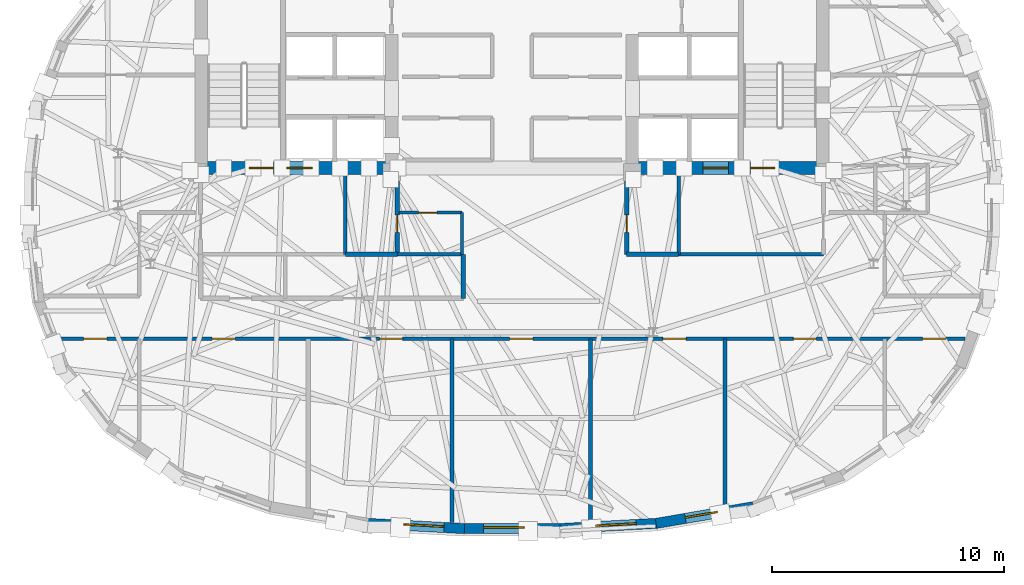
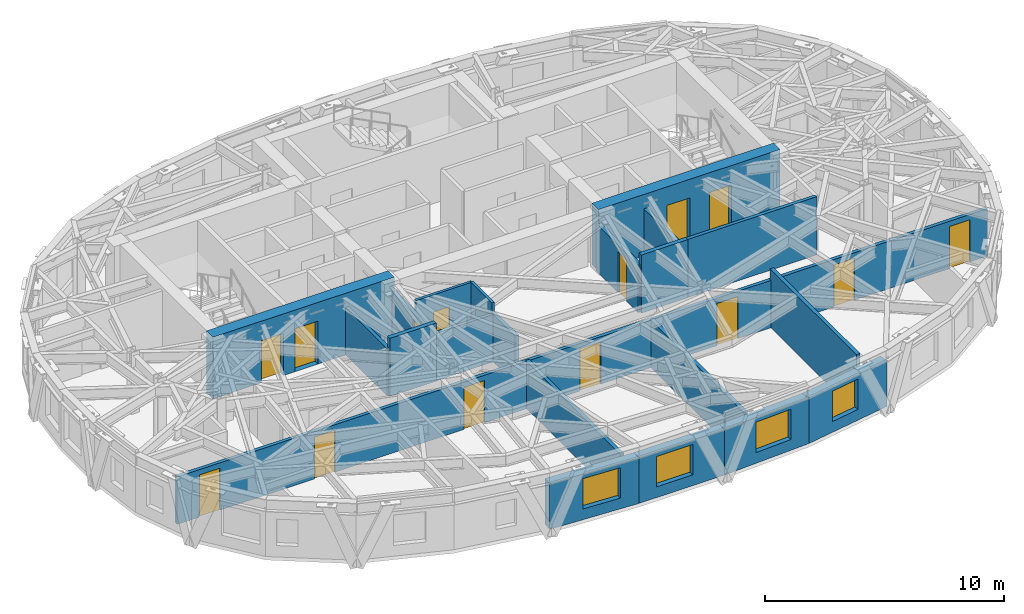
# One storey, part 6 of 12: 21 walls, 14 doors, 4 windows, 18 openings.
"""IFC4 building model written with IfcOpenShell, lengths in metres."""

from ifc_helpers import new_model, si_unit, direction, frame, frame_2d, origin, place, context, subcontext, project, spatial, rectangle, extrude, material, layer, layer_set, type_object, element, fill, save


model = new_model("IFC4")

# Units and contexts
model_context = context("Model", 3, precision=1e-05, world=origin(), true_north=direction((0.0, 1.0)))
body_context = subcontext(model_context, "Body", "Model", "MODEL_VIEW")
ifc_project = project(units=[si_unit("LENGTHUNIT", "METRE"), si_unit("AREAUNIT", "SQUARE_METRE"), si_unit("VOLUMEUNIT", "CUBIC_METRE"), si_unit("PLANEANGLEUNIT", "RADIAN"), si_unit("MASSUNIT", "GRAM", prefix="KILO")], contexts=[model_context])

# Site, building, storey
site_placement = place(None, origin())
site = spatial("IfcSite", under=ifc_project, at=site_placement, CompositionType="ELEMENT")
building_placement = place(site_placement, origin())
building = spatial("IfcBuilding", under=site, at=building_placement, Name="Keldmark Tower", CompositionType="ELEMENT")
storey_placement = place(building_placement, frame((0.0, 0.0, 254.10009765625)))
storey = spatial("IfcBuildingStorey", under=building, at=storey_placement, Name="L72", CompositionType="ELEMENT", Elevation=254.10009765625)

# Walls
ifc_material_1 = material(Name="STC-58 Insulated Tenant Demising Gypsum Partition", Category="gypsum")
ifc_layer_1 = layer(ifc_material_1, 0.175048828125)
ifc_layer_set_1 = layer_set([ifc_layer_1], Name="STC-58 Insulated Tenant Demising Gypsum Partition")
wall_type_1 = type_object("IfcWallType", Name="Demising Suite Partition 175 mm", PredefinedType="PARTITIONING", material=ifc_layer_set_1)
wall_1_placement = place(storey_placement, frame((-2.60009765625, -13.7412109375, 0.0), z_axis=(0.0, 0.0, 1.0), x_axis=(0.0, 1.0, 0.0)))
element("IfcWall", 1, at=wall_1_placement, inside=storey, type_object=wall_type_1, Name="L72 Demising Suite Partition 175 mm RS-T5-D2", PredefinedType="PARTITIONING", context=body_context, shape_type="SweptSolid", body=[
    extrude(rectangle(XDim=7.941162109375, YDim=0.175048828125, at=frame_2d((3.970703125, 0.0))), origin(), (0.0, 0.0, 1.0), 2.4228515625),
])
wall_2_placement = place(storey_placement, frame((3.39990234375, -13.697998046875, 0.0), z_axis=(0.0, 0.0, 1.0), x_axis=(0.0, 1.0, 0.0)))
element("IfcWall", 2, at=wall_2_placement, inside=storey, type_object=wall_type_1, Name="L72 Demising Suite Partition 175 mm RS-T5-D3", PredefinedType="PARTITIONING", context=body_context, shape_type="SweptSolid", body=[
    extrude(rectangle(XDim=7.89794921875, YDim=0.175048828125, at=frame_2d((3.948974609375, 0.0))), origin(), (0.0, 0.0, 1.0), 2.4228515625),
])
wall_3_placement = place(storey_placement, frame((9.199951171875, -13.033203125, 0.0), z_axis=(0.0, 0.0, 1.0), x_axis=(0.0, 1.0, 0.0)))
element("IfcWall", 3, at=wall_3_placement, inside=storey, type_object=wall_type_1, Name="L72 Demising Suite Partition 175 mm RS-T5-D4", PredefinedType="PARTITIONING", context=body_context, shape_type="SweptSolid", body=[
    extrude(rectangle(XDim=7.233154296875, YDim=0.175048828125, at=frame_2d((3.61669921875, 0.0))), origin(), (0.0, 0.0, 1.0), 2.969970703125),
])
ifc_material_2 = material(Name="Heavy Acoustic Plumbing Chase Gypsum Assembly", Category="gypsum")
ifc_layer_2 = layer(ifc_material_2, 0.18994140625)
ifc_layer_set_2 = layer_set([ifc_layer_2], Name="Heavy Acoustic Plumbing Chase Gypsum Assembly")
wall_type_2 = type_object("IfcWallType", Name="Heavy Wet Wall 190 mm", PredefinedType="PLUMBINGWALL", material=ifc_layer_set_2)
wall_4_placement = place(storey_placement, frame((-2.10009765625, -4.050048828125, 0.0), z_axis=(0.0, 0.0, 1.0), x_axis=(0.0, 1.0, 0.0)))
element("IfcWall", 4, at=wall_4_placement, inside=storey, type_object=wall_type_2, Name="L72 Heavy Wet Wall 190 mm SPK-W-E", PredefinedType="PLUMBINGWALL", context=body_context, shape_type="SweptSolid", body=[
    extrude(rectangle(XDim=1.900146484375, YDim=0.18994140625, at=frame_2d((0.9501953125, 0.0))), origin(), (0.0, 0.0, 1.0), 2.4228515625),
])

# Wall, openings, doors
ifc_material_3 = material(Name="Concrete C50/60", Category="concrete")
ifc_layer_3 = layer(ifc_material_3, 0.550048828125)
ifc_layer_set_3 = layer_set([ifc_layer_3], Name="Concrete C50/60")
wall_type_3 = type_object("IfcWallType", Name="High-Rise Core Shear Wall 550 mm", PredefinedType="SHEAR", material=ifc_layer_set_3)
wall_5_placement = place(storey_placement, frame((-4.925048828125, 1.574951171875, 0.0), z_axis=(0.0, 0.0, 1.0), x_axis=(-1.0, 0.0, 0.0)))
wall_5 = element("IfcWall", 5, at=wall_5_placement, inside=storey, type_object=wall_type_3, Name="L72 West Core South Shear Wall", PredefinedType="SHEAR", context=body_context, shape_type="SweptSolid", body=[
    extrude(rectangle(XDim=8.77490234375, YDim=0.550048828125, at=frame_2d((4.387451171875, 0.0))), origin(), (0.0, 0.0, 1.0), 3.14990234375),
])
opening_1_placement = place(wall_5_placement, frame((5.375, 0.0, 0.0)))
opening_1 = element("IfcOpeningElement", 6, at=opening_1_placement, cuts=wall_5, Name="Opening D-ST105", PredefinedType="OPENING", context=body_context, shape_type="SweptSolid", body=[
    extrude(rectangle(XDim=1.050048828125, YDim=2.14990234375, at=frame_2d((0.52490234375, 1.074951171875))), frame((0.0, 0.284912109375, 0.0), z_axis=(0.0, -1.0, 0.0), x_axis=(1.0, 0.0, 0.0)), (0.0, 0.0, 1.0), 0.570068359375),
])
opening_2_placement = place(wall_5_placement, frame((3.705078125, 0.0, 0.0)))
opening_2 = element("IfcOpeningElement", 7, at=opening_2_placement, cuts=wall_5, Name="Opening LD-110", PredefinedType="OPENING", context=body_context, shape_type="SweptSolid", body=[
    extrude(rectangle(XDim=1.10009765625, YDim=2.199951171875, at=frame_2d((0.550048828125, 1.10009765625))), frame((0.0, 0.284912109375, 0.0), z_axis=(0.0, -1.0, 0.0), x_axis=(1.0, 0.0, 0.0)), (0.0, 0.0, 1.0), 0.570068359375),
])
ifc_material_4 = material(Name="Brushed Bronze Hoistway Sliding Leaf", Category="metal")
door_type_1 = type_object("IfcDoorType", Name="Lift Landing Sliding Door 1100x2200", OperationType="SLIDING_TO_LEFT", PredefinedType="DOOR", material=ifc_material_4)
door_1_placement = place(opening_2_placement, origin())
door_1 = element("IfcDoor", 8, at=door_1_placement, inside=storey, type_object=door_type_1, Name="L72 Lift Landing Sliding Door 1100x2200 LD-EL-FS1-L72", OperationType="SLIDING_TO_LEFT", OverallHeight=2.199951171875, OverallWidth=1.10009765625, PredefinedType="DOOR", context=body_context, shape_type="SweptSolid", body=[
    extrude(rectangle(XDim=1.10009765625, YDim=2.199951171875, at=frame_2d((0.550048828125, 1.10009765625))), frame((0.0, 0.02490234375, 0.0), z_axis=(0.0, -1.0, 0.0), x_axis=(1.0, 0.0, 0.0)), (0.0, 0.0, 1.0), 0.050048828125),
])
fill(opening_2, door_1)
ifc_material_5 = material(Name="Hollow Metal Fire-Rated Door Assembly", Category="metal")
door_type_2 = type_object("IfcDoorType", Name="Stair Fire Door 1050x2150", OperationType="NOTDEFINED", PredefinedType="DOOR", material=ifc_material_5)
door_2_placement = place(opening_1_placement, origin())
door_2 = element("IfcDoor", 9, at=door_2_placement, inside=storey, type_object=door_type_2, Name="L72 Stair Fire Door 1050x2150 D-ST1-L72", OperationType="SINGLE_SWING_RIGHT", OverallHeight=2.14990234375, OverallWidth=1.050048828125, PredefinedType="DOOR", context=body_context, shape_type="SweptSolid", body=[
    extrude(rectangle(XDim=1.050048828125, YDim=2.14990234375, at=frame_2d((0.52490234375, 1.074951171875))), frame((0.0, 0.02490234375, 0.0), z_axis=(0.0, -1.0, 0.0), x_axis=(1.0, 0.0, 0.0)), (0.0, 0.0, 1.0), 0.050048828125),
])
fill(opening_1, door_2)

wall_6_placement = place(storey_placement, frame((13.699951171875, 1.574951171875, 0.0), z_axis=(0.0, 0.0, 1.0), x_axis=(-1.0, 0.0, 0.0)))
wall_6 = element("IfcWall", 10, at=wall_6_placement, inside=storey, type_object=wall_type_3, Name="L72 East Core South Shear Wall", PredefinedType="SHEAR", context=body_context, shape_type="SweptSolid", body=[
    extrude(rectangle(XDim=8.77490234375, YDim=0.550048828125, at=frame_2d((4.387451171875, 0.0))), origin(), (0.0, 0.0, 1.0), 3.14990234375),
])
opening_3_placement = place(wall_6_placement, frame((2.35009765625, 0.0, 0.0)))
opening_3 = element("IfcOpeningElement", 11, at=opening_3_placement, cuts=wall_6, Name="Opening D-ST105", PredefinedType="OPENING", context=body_context, shape_type="SweptSolid", body=[
    extrude(rectangle(XDim=1.050048828125, YDim=2.14990234375, at=frame_2d((0.52490234375, 1.074951171875))), frame((0.0, 0.284912109375, 0.0), z_axis=(0.0, -1.0, 0.0), x_axis=(1.0, 0.0, 0.0)), (0.0, 0.0, 1.0), 0.570068359375),
])
opening_4_placement = place(wall_6_placement, frame((4.35009765625, 0.0, 0.0)))
opening_4 = element("IfcOpeningElement", 12, at=opening_4_placement, cuts=wall_6, Name="Opening LD-110", PredefinedType="OPENING", context=body_context, shape_type="SweptSolid", body=[
    extrude(rectangle(XDim=1.10009765625, YDim=2.199951171875, at=frame_2d((0.550048828125, 1.10009765625))), frame((0.0, 0.284912109375, 0.0), z_axis=(0.0, -1.0, 0.0), x_axis=(1.0, 0.0, 0.0)), (0.0, 0.0, 1.0), 0.570068359375),
])
door_3_placement = place(opening_4_placement, origin())
door_3 = element("IfcDoor", 13, at=door_3_placement, inside=storey, type_object=door_type_1, Name="L72 Lift Landing Sliding Door 1100x2200 LD-EL-FS2-L72", OperationType="SLIDING_TO_LEFT", OverallHeight=2.199951171875, OverallWidth=1.10009765625, PredefinedType="DOOR", context=body_context, shape_type="SweptSolid", body=[
    extrude(rectangle(XDim=1.10009765625, YDim=2.199951171875, at=frame_2d((0.550048828125, 1.10009765625))), frame((0.0, 0.02490234375, 0.0), z_axis=(0.0, -1.0, 0.0), x_axis=(1.0, 0.0, 0.0)), (0.0, 0.0, 1.0), 0.050048828125),
])
fill(opening_4, door_3)
door_4_placement = place(opening_3_placement, origin())
door_4 = element("IfcDoor", 14, at=door_4_placement, inside=storey, type_object=door_type_2, Name="L72 Stair Fire Door 1050x2150 D-ST2-L72", OperationType="SINGLE_SWING_LEFT", OverallHeight=2.14990234375, OverallWidth=1.050048828125, PredefinedType="DOOR", context=body_context, shape_type="SweptSolid", body=[
    extrude(rectangle(XDim=1.050048828125, YDim=2.14990234375, at=frame_2d((0.52490234375, 1.074951171875))), frame((0.0, 0.02490234375, 0.0), z_axis=(0.0, -1.0, 0.0), x_axis=(1.0, 0.0, 0.0)), (0.0, 0.0, 1.0), 0.050048828125),
])
fill(opening_3, door_4)

# Wall, opening, door
ifc_material_6 = material(Name="Acoustic Gypsum Board Interior Partition", Category="gypsum")
ifc_layer_4 = layer(ifc_material_6, 0.1298828125)
ifc_layer_set_4 = layer_set([ifc_layer_4], Name="Acoustic Gypsum Board Interior Partition")
wall_type_4 = type_object("IfcWallType", Name="Interior Partition 130 mm", PredefinedType="PARTITIONING", material=ifc_layer_set_4)
wall_7_placement = place(storey_placement, frame((-4.8798828125, -0.35009765625, 0.0), z_axis=(0.0, 0.0, 1.0), x_axis=(1.0, 0.0, 0.0)))
wall_7 = element("IfcWall", 15, at=wall_7_placement, inside=storey, type_object=wall_type_4, Name="L72 Interior Partition 130 mm CSC-W-N", PredefinedType="PARTITIONING", context=body_context, shape_type="SweptSolid", body=[
    extrude(rectangle(XDim=2.72998046875, YDim=0.1298828125, at=frame_2d((1.364990234375, 0.0))), origin(), (0.0, 0.0, 1.0), 2.969970703125),
])
opening_5_placement = place(wall_7_placement, frame((0.85009765625, 0.0, 0.0)))
opening_5 = element("IfcOpeningElement", 16, at=opening_5_placement, cuts=wall_7, Name="Opening D-CL078", PredefinedType="OPENING", context=body_context, shape_type="SweptSolid", body=[
    extrude(rectangle(XDim=0.780029296875, YDim=2.10009765625, at=frame_2d((0.39013671875, 1.050048828125))), frame((0.0, 0.074951171875, 0.0), z_axis=(0.0, -1.0, 0.0), x_axis=(1.0, 0.0, 0.0)), (0.0, 0.0, 1.0), 0.14990234375),
])
ifc_material_7 = material(Name="Flush Utility Closet Timber Door", Category="wood")
door_type_3 = type_object("IfcDoorType", Name="Closet Door 780x2100", OperationType="NOTDEFINED", PredefinedType="DOOR", material=ifc_material_7)
door_5_placement = place(opening_5_placement, origin())
door_5 = element("IfcDoor", 17, at=door_5_placement, inside=storey, type_object=door_type_3, Name="L72 Closet Door 780x2100 D-CSCW1-L72", OperationType="SINGLE_SWING_LEFT", OverallHeight=2.10009765625, OverallWidth=0.780029296875, PredefinedType="DOOR", context=body_context, shape_type="SweptSolid", body=[
    extrude(rectangle(XDim=0.780029296875, YDim=2.10009765625, at=frame_2d((0.39013671875, 1.050048828125))), frame((0.0, 0.02490234375, 0.0), z_axis=(0.0, -1.0, 0.0), x_axis=(1.0, 0.0, 0.0)), (0.0, 0.0, 1.0), 0.050048828125),
])
fill(opening_5, door_5)

# Walls
wall_8_placement = place(storey_placement, frame((-2.14990234375, -2.14990234375, 0.0), z_axis=(0.0, 0.0, 1.0), x_axis=(0.0, 1.0, 0.0)))
element("IfcWall", 18, at=wall_8_placement, inside=storey, type_object=wall_type_4, Name="L72 Interior Partition 130 mm CSC-W-E", PredefinedType="PARTITIONING", context=body_context, shape_type="SweptSolid", body=[
    extrude(rectangle(XDim=1.7998046875, YDim=0.1298828125, at=frame_2d((0.89990234375, 0.0))), origin(), (0.0, 0.0, 1.0), 2.969970703125),
])
ifc_material_8 = material(Name="Type X Fire-Rated Gypsum Partition Assembly", Category="gypsum")
ifc_layer_5 = layer(ifc_material_8, 0.1650390625)
ifc_layer_set_5 = layer_set([ifc_layer_5], Name="Type X Fire-Rated Gypsum Partition Assembly")
wall_type_5 = type_object("IfcWallType", Name="Rated Partition 165 mm", PredefinedType="PARTITIONING", material=ifc_layer_set_5)
wall_9_placement = place(storey_placement, frame((-7.199951171875, -2.14990234375, 0.0), z_axis=(0.0, 0.0, 1.0), x_axis=(0.0, 1.0, 0.0)))
element("IfcWall", 19, at=wall_9_placement, inside=storey, type_object=wall_type_5, Name="L72 Rated Partition 165 mm FSAE-W-E", PredefinedType="PARTITIONING", context=body_context, shape_type="SweptSolid", body=[
    extrude(rectangle(XDim=3.5, YDim=0.1650390625, at=frame_2d((1.75, 0.0))), origin(), (0.0, 0.0, 1.0), 2.4228515625),
])
wall_10_placement = place(storey_placement, frame((7.199951171875, -2.14990234375, 0.0), z_axis=(0.0, 0.0, 1.0), x_axis=(1.0, 0.0, 0.0)))
element("IfcWall", 20, at=wall_10_placement, inside=storey, type_object=wall_type_5, Name="L72 Rated Partition 165 mm FSAE-E-S", PredefinedType="PARTITIONING", context=body_context, shape_type="SweptSolid", body=[
    extrude(rectangle(XDim=6.25, YDim=0.1650390625, at=frame_2d((3.125, 0.0))), origin(), (0.0, 0.0, 1.0), 2.969970703125),
])
wall_11_placement = place(storey_placement, frame((7.199951171875, -2.14990234375, 0.0), z_axis=(0.0, 0.0, 1.0), x_axis=(0.0, 1.0, 0.0)))
element("IfcWall", 21, at=wall_11_placement, inside=storey, type_object=wall_type_5, Name="L72 Rated Partition 165 mm FSAE-E-W", PredefinedType="PARTITIONING", context=body_context, shape_type="SweptSolid", body=[
    extrude(rectangle(XDim=3.5, YDim=0.1650390625, at=frame_2d((1.75, 0.0))), origin(), (0.0, 0.0, 1.0), 2.4228515625),
])

# Wall, openings, doors
wall_12_placement = place(storey_placement, frame((-19.578369140625, -5.800048828125, 0.0), z_axis=(0.0, 0.0, 1.0), x_axis=(1.0, 0.0, 0.0)))
wall_12 = element("IfcWall", 22, at=wall_12_placement, inside=storey, type_object=wall_type_5, Name="L72 Rated Partition 165 mm RCOR-S", PredefinedType="PARTITIONING", context=body_context, shape_type="SweptSolid", body=[
    extrude(rectangle(XDim=39.15673828125, YDim=0.1650390625, at=frame_2d((19.578369140625, 0.0))), origin(), (0.0, 0.0, 1.0), 2.4228515625),
])
opening_6_placement = place(wall_12_placement, frame((1.076416015625, 0.0, 0.0)))
opening_6 = element("IfcOpeningElement", 23, at=opening_6_placement, cuts=wall_12, Name="Opening D-FD100", PredefinedType="OPENING", context=body_context, shape_type="SweptSolid", body=[
    extrude(rectangle(XDim=1.0, YDim=2.14990234375, at=frame_2d((0.5, 1.074951171875))), frame((0.0, 0.092529296875, 0.0), z_axis=(0.0, -1.0, 0.0), x_axis=(1.0, 0.0, 0.0)), (0.0, 0.0, 1.0), 0.18505859375),
])
opening_7_placement = place(wall_12_placement, frame((37.3203125, 0.0, 0.0)))
opening_7 = element("IfcOpeningElement", 24, at=opening_7_placement, cuts=wall_12, Name="Opening D-FD100", PredefinedType="OPENING", context=body_context, shape_type="SweptSolid", body=[
    extrude(rectangle(XDim=1.0, YDim=2.14990234375, at=frame_2d((0.5, 1.074951171875))), frame((0.0, 0.092529296875, 0.0), z_axis=(0.0, -1.0, 0.0), x_axis=(1.0, 0.0, 0.0)), (0.0, 0.0, 1.0), 0.18505859375),
])
opening_8_placement = place(wall_12_placement, frame((6.62841796875, 0.0, 0.0)))
opening_8 = element("IfcOpeningElement", 25, at=opening_8_placement, cuts=wall_12, Name="Opening D-FD100", PredefinedType="OPENING", context=body_context, shape_type="SweptSolid", body=[
    extrude(rectangle(XDim=1.0, YDim=2.14990234375, at=frame_2d((0.5, 1.074951171875))), frame((0.0, 0.092529296875, 0.0), z_axis=(0.0, -1.0, 0.0), x_axis=(1.0, 0.0, 0.0)), (0.0, 0.0, 1.0), 0.18505859375),
])
opening_9_placement = place(wall_12_placement, frame((13.8583984375, 0.0, 0.0)))
opening_9 = element("IfcOpeningElement", 26, at=opening_9_placement, cuts=wall_12, Name="Opening D-FD100", PredefinedType="OPENING", context=body_context, shape_type="SweptSolid", body=[
    extrude(rectangle(XDim=1.0, YDim=2.14990234375, at=frame_2d((0.5, 1.074951171875))), frame((0.0, 0.092529296875, 0.0), z_axis=(0.0, -1.0, 0.0), x_axis=(1.0, 0.0, 0.0)), (0.0, 0.0, 1.0), 0.18505859375),
])
opening_10_placement = place(wall_12_placement, frame((19.478271484375, 0.0, 0.0)))
opening_10 = element("IfcOpeningElement", 27, at=opening_10_placement, cuts=wall_12, Name="Opening D-FD100", PredefinedType="OPENING", context=body_context, shape_type="SweptSolid", body=[
    extrude(rectangle(XDim=1.0, YDim=2.14990234375, at=frame_2d((0.5, 1.074951171875))), frame((0.0, 0.092529296875, 0.0), z_axis=(0.0, -1.0, 0.0), x_axis=(1.0, 0.0, 0.0)), (0.0, 0.0, 1.0), 0.18505859375),
])
opening_11_placement = place(wall_12_placement, frame((26.098388671875, 0.0, 0.0)))
opening_11 = element("IfcOpeningElement", 28, at=opening_11_placement, cuts=wall_12, Name="Opening D-FD100", PredefinedType="OPENING", context=body_context, shape_type="SweptSolid", body=[
    extrude(rectangle(XDim=1.0, YDim=2.14990234375, at=frame_2d((0.5, 1.074951171875))), frame((0.0, 0.092529296875, 0.0), z_axis=(0.0, -1.0, 0.0), x_axis=(1.0, 0.0, 0.0)), (0.0, 0.0, 1.0), 0.18505859375),
])
opening_12_placement = place(wall_12_placement, frame((31.728271484375, 0.0, 0.0)))
opening_12 = element("IfcOpeningElement", 29, at=opening_12_placement, cuts=wall_12, Name="Opening D-FD100", PredefinedType="OPENING", context=body_context, shape_type="SweptSolid", body=[
    extrude(rectangle(XDim=1.0, YDim=2.14990234375, at=frame_2d((0.5, 1.074951171875))), frame((0.0, 0.092529296875, 0.0), z_axis=(0.0, -1.0, 0.0), x_axis=(1.0, 0.0, 0.0)), (0.0, 0.0, 1.0), 0.18505859375),
])
ifc_material_9 = material(Name="Hollow Metal Fire-Rated Corridor Door", Category="metal")
door_type_4 = type_object("IfcDoorType", Name="Fire Door 1000x2150", OperationType="NOTDEFINED", PredefinedType="DOOR", material=ifc_material_9)
door_6_placement = place(opening_6_placement, origin())
door_6 = element("IfcDoor", 30, at=door_6_placement, inside=storey, type_object=door_type_4, Name="L72 Fire Door 1000x2150 D-RSCW-L72", OperationType="SINGLE_SWING_LEFT", OverallHeight=2.14990234375, OverallWidth=1.0, PredefinedType="DOOR", context=body_context, shape_type="SweptSolid", body=[
    extrude(rectangle(XDim=1.0, YDim=2.14990234375, at=frame_2d((0.5, 1.074951171875))), frame((0.0, 0.02490234375, 0.0), z_axis=(0.0, -1.0, 0.0), x_axis=(1.0, 0.0, 0.0)), (0.0, 0.0, 1.0), 0.050048828125),
])
fill(opening_6, door_6)
door_7_placement = place(opening_7_placement, origin())
door_7 = element("IfcDoor", 31, at=door_7_placement, inside=storey, type_object=door_type_4, Name="L72 Fire Door 1000x2150 D-RSCE-L72", OperationType="SINGLE_SWING_RIGHT", OverallHeight=2.14990234375, OverallWidth=1.0, PredefinedType="DOOR", context=body_context, shape_type="SweptSolid", body=[
    extrude(rectangle(XDim=1.0, YDim=2.14990234375, at=frame_2d((0.5, 1.074951171875))), frame((0.0, 0.02490234375, 0.0), z_axis=(0.0, -1.0, 0.0), x_axis=(1.0, 0.0, 0.0)), (0.0, 0.0, 1.0), 0.050048828125),
])
fill(opening_7, door_7)
door_8_placement = place(opening_8_placement, origin())
door_8 = element("IfcDoor", 32, at=door_8_placement, inside=storey, type_object=door_type_4, Name="L72 Fire Door 1000x2150 D-RST5-1-L72", OperationType="SINGLE_SWING_LEFT", OverallHeight=2.14990234375, OverallWidth=1.0, PredefinedType="DOOR", context=body_context, shape_type="SweptSolid", body=[
    extrude(rectangle(XDim=1.0, YDim=2.14990234375, at=frame_2d((0.5, 1.074951171875))), frame((0.0, 0.02490234375, 0.0), z_axis=(0.0, -1.0, 0.0), x_axis=(1.0, 0.0, 0.0)), (0.0, 0.0, 1.0), 0.050048828125),
])
fill(opening_8, door_8)
door_9_placement = place(opening_9_placement, origin())
door_9 = element("IfcDoor", 33, at=door_9_placement, inside=storey, type_object=door_type_4, Name="L72 Fire Door 1000x2150 D-RST5-2-L72", OperationType="SINGLE_SWING_RIGHT", OverallHeight=2.14990234375, OverallWidth=1.0, PredefinedType="DOOR", context=body_context, shape_type="SweptSolid", body=[
    extrude(rectangle(XDim=1.0, YDim=2.14990234375, at=frame_2d((0.5, 1.074951171875))), frame((0.0, 0.02490234375, 0.0), z_axis=(0.0, -1.0, 0.0), x_axis=(1.0, 0.0, 0.0)), (0.0, 0.0, 1.0), 0.050048828125),
])
fill(opening_9, door_9)
door_10_placement = place(opening_10_placement, origin())
door_10 = element("IfcDoor", 34, at=door_10_placement, inside=storey, type_object=door_type_4, Name="L72 Fire Door 1000x2150 D-RST5-3-L72", OperationType="SINGLE_SWING_LEFT", OverallHeight=2.14990234375, OverallWidth=1.0, PredefinedType="DOOR", context=body_context, shape_type="SweptSolid", body=[
    extrude(rectangle(XDim=1.0, YDim=2.14990234375, at=frame_2d((0.5, 1.074951171875))), frame((0.0, 0.02490234375, 0.0), z_axis=(0.0, -1.0, 0.0), x_axis=(1.0, 0.0, 0.0)), (0.0, 0.0, 1.0), 0.050048828125),
])
fill(opening_10, door_10)
door_11_placement = place(opening_11_placement, origin())
door_11 = element("IfcDoor", 35, at=door_11_placement, inside=storey, type_object=door_type_4, Name="L72 Fire Door 1000x2150 D-RST5-4-L72", OperationType="SINGLE_SWING_RIGHT", OverallHeight=2.14990234375, OverallWidth=1.0, PredefinedType="DOOR", context=body_context, shape_type="SweptSolid", body=[
    extrude(rectangle(XDim=1.0, YDim=2.14990234375, at=frame_2d((0.5, 1.074951171875))), frame((0.0, 0.02490234375, 0.0), z_axis=(0.0, -1.0, 0.0), x_axis=(1.0, 0.0, 0.0)), (0.0, 0.0, 1.0), 0.050048828125),
])
fill(opening_11, door_11)
door_12_placement = place(opening_12_placement, origin())
door_12 = element("IfcDoor", 36, at=door_12_placement, inside=storey, type_object=door_type_4, Name="L72 Fire Door 1000x2150 D-RST5-5-L72", OperationType="SINGLE_SWING_LEFT", OverallHeight=2.14990234375, OverallWidth=1.0, PredefinedType="DOOR", context=body_context, shape_type="SweptSolid", body=[
    extrude(rectangle(XDim=1.0, YDim=2.14990234375, at=frame_2d((0.5, 1.074951171875))), frame((0.0, 0.02490234375, 0.0), z_axis=(0.0, -1.0, 0.0), x_axis=(1.0, 0.0, 0.0)), (0.0, 0.0, 1.0), 0.050048828125),
])
fill(opening_12, door_12)

# Wall
ifc_material_10 = material(Name="Fire-Resistant Type X Gypsum Shaftliner Coreboard", Category="gypsum")
ifc_layer_6 = layer(ifc_material_10, 0.199951171875)
ifc_layer_set_6 = layer_set([ifc_layer_6], Name="Fire-Resistant Type X Gypsum Shaftliner Coreboard")
wall_type_6 = type_object("IfcWallType", Name="Shaft Wall 200 mm", PredefinedType="SOLIDWALL", material=ifc_layer_set_6)
wall_13_placement = place(storey_placement, frame((-7.199951171875, -2.14990234375, 0.0), z_axis=(0.0, 0.0, 1.0), x_axis=(1.0, 0.0, 0.0)))
element("IfcWall", 37, at=wall_13_placement, inside=storey, type_object=wall_type_6, Name="L72 Shaft Wall 200 mm RIS-SW-S", PredefinedType="SOLIDWALL", context=body_context, shape_type="SweptSolid", body=[
    extrude(rectangle(XDim=2.25, YDim=0.199951171875, at=frame_2d((1.125, 0.0))), origin(), (0.0, 0.0, 1.0), 2.969970703125),
])

# Wall, opening, door
wall_14_placement = place(storey_placement, frame((-4.949951171875, -2.14990234375, 0.0), z_axis=(0.0, 0.0, 1.0), x_axis=(0.0, 1.0, 0.0)))
wall_14 = element("IfcWall", 38, at=wall_14_placement, inside=storey, type_object=wall_type_6, Name="L72 Shaft Wall 200 mm RIS-SW-E", PredefinedType="SOLIDWALL", context=body_context, shape_type="SweptSolid", body=[
    extrude(rectangle(XDim=3.5, YDim=0.199951171875, at=frame_2d((1.75, 0.0))), origin(), (0.0, 0.0, 1.0), 2.4228515625),
])
opening_13_placement = place(wall_14_placement, frame((0.949951171875, 0.0, 0.0)))
opening_13 = element("IfcOpeningElement", 39, at=opening_13_placement, cuts=wall_14, Name="Opening D-RS075", PredefinedType="OPENING", context=body_context, shape_type="SweptSolid", body=[
    extrude(rectangle(XDim=0.75, YDim=2.10009765625, at=frame_2d((0.375, 1.050048828125))), frame((0.0, 0.10986328125, 0.0), z_axis=(0.0, -1.0, 0.0), x_axis=(1.0, 0.0, 0.0)), (0.0, 0.0, 1.0), 0.219970703125),
])
ifc_material_11 = material(Name="Galvanized Fire-Rated Access Leaf", Category="metal")
door_type_5 = type_object("IfcDoorType", Name="Riser Access Door 750x2100", OperationType="NOTDEFINED", PredefinedType="DOOR", material=ifc_material_11)
door_13_placement = place(opening_13_placement, origin())
door_13 = element("IfcDoor", 40, at=door_13_placement, inside=storey, type_object=door_type_5, Name="L72 Riser Access Door 750x2100 D-RISSW-L72", OperationType="SINGLE_SWING_RIGHT", OverallHeight=2.10009765625, OverallWidth=0.75, PredefinedType="DOOR", context=body_context, shape_type="SweptSolid", body=[
    extrude(rectangle(XDim=0.75, YDim=2.10009765625, at=frame_2d((0.375, 1.050048828125))), frame((0.0, 0.02490234375, 0.0), z_axis=(0.0, -1.0, 0.0), x_axis=(1.0, 0.0, 0.0)), (0.0, 0.0, 1.0), 0.050048828125),
])
fill(opening_13, door_13)

# Wall
wall_15_placement = place(storey_placement, frame((4.949951171875, -2.14990234375, 0.0), z_axis=(0.0, 0.0, 1.0), x_axis=(1.0, 0.0, 0.0)))
element("IfcWall", 41, at=wall_15_placement, inside=storey, type_object=wall_type_6, Name="L72 Shaft Wall 200 mm RIS-SE-S", PredefinedType="SOLIDWALL", context=body_context, shape_type="SweptSolid", body=[
    extrude(rectangle(XDim=2.25, YDim=0.199951171875, at=frame_2d((1.125, 0.0))), origin(), (0.0, 0.0, 1.0), 2.969970703125),
])

# Wall, opening, door
wall_16_placement = place(storey_placement, frame((4.949951171875, -2.14990234375, 0.0), z_axis=(0.0, 0.0, 1.0), x_axis=(0.0, 1.0, 0.0)))
wall_16 = element("IfcWall", 42, at=wall_16_placement, inside=storey, type_object=wall_type_6, Name="L72 Shaft Wall 200 mm RIS-SE-W", PredefinedType="SOLIDWALL", context=body_context, shape_type="SweptSolid", body=[
    extrude(rectangle(XDim=3.5, YDim=0.199951171875, at=frame_2d((1.75, 0.0))), origin(), (0.0, 0.0, 1.0), 2.4228515625),
])
opening_14_placement = place(wall_16_placement, frame((0.949951171875, 0.0, 0.0)))
opening_14 = element("IfcOpeningElement", 43, at=opening_14_placement, cuts=wall_16, Name="Opening D-RS075", PredefinedType="OPENING", context=body_context, shape_type="SweptSolid", body=[
    extrude(rectangle(XDim=0.75, YDim=2.10009765625, at=frame_2d((0.375, 1.050048828125))), frame((0.0, 0.10986328125, 0.0), z_axis=(0.0, -1.0, 0.0), x_axis=(1.0, 0.0, 0.0)), (0.0, 0.0, 1.0), 0.219970703125),
])
door_14_placement = place(opening_14_placement, origin())
door_14 = element("IfcDoor", 44, at=door_14_placement, inside=storey, type_object=door_type_5, Name="L72 Riser Access Door 750x2100 D-RISSE-L72", OperationType="SINGLE_SWING_LEFT", OverallHeight=2.10009765625, OverallWidth=0.75, PredefinedType="DOOR", context=body_context, shape_type="SweptSolid", body=[
    extrude(rectangle(XDim=0.75, YDim=2.10009765625, at=frame_2d((0.375, 1.050048828125))), frame((0.0, 0.02490234375, 0.0), z_axis=(0.0, -1.0, 0.0), x_axis=(1.0, 0.0, 0.0)), (0.0, 0.0, 1.0), 0.050048828125),
])
fill(opening_14, door_14)

# Wall, opening, window
ifc_material_12 = material(Name="Ironspot Manganese Brick and Kasota Buff Limestone Spandrel Assembly", Category="masonry")
ifc_layer_7 = layer(ifc_material_12, 0.43994140625)
ifc_layer_set_7 = layer_set([ifc_layer_7], Name="Ironspot Manganese Brick and Kasota Buff Limestone Spandrel Assembly")
wall_type_7 = type_object("IfcWallType", Name="Tower Brick Pier and Spandrel Wall 440 mm", PredefinedType="STANDARD", material=ifc_layer_set_7)
wall_17_placement = place(storey_placement, frame((-2.0537109375, -13.9990234375, 0.0), z_axis=(0.0, 0.0, 1.0), x_axis=(-0.998541341871, 0.05399248627, 0.0)))
wall_17 = element("IfcWall", 45, at=wall_17_placement, inside=storey, type_object=wall_type_7, Name="L72 Exterior Brick and Spandrel Wall 23", PredefinedType="STANDARD", context=body_context, shape_type="SweptSolid", body=[
    extrude(rectangle(XDim=4.20068359375, YDim=0.43994140625, at=frame_2d((2.100341796875, 0.0))), origin(), (0.0, 0.0, 1.0), 2.3359375),
])
opening_15_placement = place(wall_17_placement, frame((0.883544921875, 0.0, 0.550048828125)))
opening_15 = element("IfcOpeningElement", 46, at=opening_15_placement, cuts=wall_17, Name="Opening W-05", PredefinedType="OPENING", context=body_context, shape_type="SweptSolid", body=[
    extrude(rectangle(XDim=1.75, YDim=1.550048828125, at=frame_2d((0.875, 0.77490234375))), frame((0.0, 0.22998046875, 0.0), z_axis=(0.0, -1.0, 0.0), x_axis=(1.0, 0.0, 0.0)), (0.0, 0.0, 1.0), 0.4599609375),
])
ifc_material_13 = material(Name="Thermally Broken Anodized Aluminum and Triple Low-E Argon Glazing", Category="aluminium")
window_type_1 = type_object("IfcWindowType", Name="Residential Deep-Set Window 1750x1550", PartitioningType="DOUBLE_PANEL_VERTICAL", PredefinedType="WINDOW", material=ifc_material_13)
window_1_placement = place(opening_15_placement, origin())
window_1 = element("IfcWindow", 47, at=window_1_placement, inside=storey, type_object=window_type_1, Name="L72 Deep-Set Window 23", OverallHeight=1.550048828125, OverallWidth=1.75, PartitioningType="SINGLE_PANEL", PredefinedType="WINDOW", context=body_context, shape_type="SweptSolid", body=[
    extrude(rectangle(XDim=1.75, YDim=1.550048828125, at=frame_2d((0.875, 0.77490234375))), frame((0.0, -0.010009765625, 0.0), z_axis=(0.0, -1.0, 0.0), x_axis=(1.0, 0.0, 0.0)), (0.0, 0.0, 1.0), 0.06005859375),
])
fill(opening_15, window_1)

wall_18_placement = place(storey_placement, frame((2.0654296875, -13.998779296875, 0.0), z_axis=(0.0, 0.0, 1.0), x_axis=(-1.0, 0.0, 0.0)))
wall_18 = element("IfcWall", 48, at=wall_18_placement, inside=storey, type_object=wall_type_7, Name="L72 Exterior Brick and Spandrel Wall 24", PredefinedType="STANDARD", context=body_context, shape_type="SweptSolid", body=[
    extrude(rectangle(XDim=4.130859375, YDim=0.43994140625, at=frame_2d((2.0654296875, 0.0))), origin(), (0.0, 0.0, 1.0), 2.3359375),
])
opening_16_placement = place(wall_18_placement, frame((1.537109375, 0.0, 0.550048828125)))
opening_16 = element("IfcOpeningElement", 49, at=opening_16_placement, cuts=wall_18, Name="Opening W-05", PredefinedType="OPENING", context=body_context, shape_type="SweptSolid", body=[
    extrude(rectangle(XDim=1.75, YDim=1.550048828125, at=frame_2d((0.875, 0.77490234375))), frame((0.0, 0.22998046875, 0.0), z_axis=(0.0, -1.0, 0.0), x_axis=(1.0, 0.0, 0.0)), (0.0, 0.0, 1.0), 0.4599609375),
])
window_2_placement = place(opening_16_placement, origin())
window_2 = element("IfcWindow", 50, at=window_2_placement, inside=storey, type_object=window_type_1, Name="L72 Deep-Set Window 24", OverallHeight=1.550048828125, OverallWidth=1.75, PartitioningType="SINGLE_PANEL", PredefinedType="WINDOW", context=body_context, shape_type="SweptSolid", body=[
    extrude(rectangle(XDim=1.75, YDim=1.550048828125, at=frame_2d((0.875, 0.77490234375))), frame((0.0, -0.010009765625, 0.0), z_axis=(0.0, -1.0, 0.0), x_axis=(1.0, 0.0, 0.0)), (0.0, 0.0, 1.0), 0.06005859375),
])
fill(opening_16, window_2)

wall_19_placement = place(storey_placement, frame((6.248291015625, -13.772216796875, 0.0), z_axis=(0.0, 0.0, 1.0), x_axis=(-0.998541341871, -0.05399248627, 0.0)))
wall_19 = element("IfcWall", 51, at=wall_19_placement, inside=storey, type_object=wall_type_7, Name="L72 Exterior Brick and Spandrel Wall 25", PredefinedType="STANDARD", context=body_context, shape_type="SweptSolid", body=[
    extrude(rectangle(XDim=4.20068359375, YDim=0.43994140625, at=frame_2d((2.100341796875, 0.0))), origin(), (0.0, 0.0, 1.0), 2.3359375),
])
opening_17_placement = place(wall_19_placement, frame((0.883544921875, 0.0, 0.550048828125)))
opening_17 = element("IfcOpeningElement", 52, at=opening_17_placement, cuts=wall_19, Name="Opening W-05", PredefinedType="OPENING", context=body_context, shape_type="SweptSolid", body=[
    extrude(rectangle(XDim=1.75, YDim=1.550048828125, at=frame_2d((0.875, 0.77490234375))), frame((0.0, 0.22998046875, 0.0), z_axis=(0.0, -1.0, 0.0), x_axis=(1.0, 0.0, 0.0)), (0.0, 0.0, 1.0), 0.4599609375),
])
window_3_placement = place(opening_17_placement, origin())
window_3 = element("IfcWindow", 53, at=window_3_placement, inside=storey, type_object=window_type_1, Name="L72 Deep-Set Window 25", OverallHeight=1.550048828125, OverallWidth=1.75, PartitioningType="SINGLE_PANEL", PredefinedType="WINDOW", context=body_context, shape_type="SweptSolid", body=[
    extrude(rectangle(XDim=1.75, YDim=1.550048828125, at=frame_2d((0.875, 0.77490234375))), frame((0.0, -0.010009765625, 0.0), z_axis=(0.0, -1.0, 0.0), x_axis=(1.0, 0.0, 0.0)), (0.0, 0.0, 1.0), 0.06005859375),
])
fill(opening_17, window_3)

wall_20_placement = place(storey_placement, frame((10.42529296875, -13.05419921875, 0.0), z_axis=(0.0, 0.0, 1.0), x_axis=(-0.985601268854, -0.169086187587, 0.0)))
wall_20 = element("IfcWall", 54, at=wall_20_placement, inside=storey, type_object=wall_type_7, Name="L72 Exterior Brick and Spandrel Wall 26", PredefinedType="STANDARD", context=body_context, shape_type="SweptSolid", body=[
    extrude(rectangle(XDim=4.263671875, YDim=0.43994140625, at=frame_2d((2.1318359375, 0.0))), origin(), (0.0, 0.0, 1.0), 2.3359375),
])
opening_18_placement = place(wall_20_placement, frame((1.57958984375, 0.0, 0.550048828125)))
opening_18 = element("IfcOpeningElement", 55, at=opening_18_placement, cuts=wall_20, Name="Opening W-08", PredefinedType="OPENING", context=body_context, shape_type="SweptSolid", body=[
    extrude(rectangle(XDim=1.39990234375, YDim=1.550048828125, at=frame_2d((0.699951171875, 0.77490234375))), frame((0.0, 0.22998046875, 0.0), z_axis=(0.0, -1.0, 0.0), x_axis=(1.0, 0.0, 0.0)), (0.0, 0.0, 1.0), 0.4599609375),
])
ifc_material_14 = material(Name="Thermally Broken Anodized Aluminum and Triple Low-E Argon Glazing", Category="aluminium")
window_type_2 = type_object("IfcWindowType", Name="Residential Corner Punched Window 1400x1550", PartitioningType="SINGLE_PANEL", PredefinedType="WINDOW", material=ifc_material_14)
window_4_placement = place(opening_18_placement, origin())
window_4 = element("IfcWindow", 56, at=window_4_placement, inside=storey, type_object=window_type_2, Name="L72 Deep-Set Window 26", OverallHeight=1.550048828125, OverallWidth=1.39990234375, PartitioningType="SINGLE_PANEL", PredefinedType="WINDOW", context=body_context, shape_type="SweptSolid", body=[
    extrude(rectangle(XDim=1.39990234375, YDim=1.550048828125, at=frame_2d((0.699951171875, 0.77490234375))), frame((0.0, -0.010009765625, 0.0), z_axis=(0.0, -1.0, 0.0), x_axis=(1.0, 0.0, 0.0)), (0.0, 0.0, 1.0), 0.06005859375),
])
fill(opening_18, window_4)

# Wall
ifc_material_15 = material(Name="Moisture-Resistant Gypsum Plumbing Partition", Category="gypsum")
ifc_layer_8 = layer(ifc_material_15, 0.14990234375)
ifc_layer_set_8 = layer_set([ifc_layer_8], Name="Moisture-Resistant Gypsum Plumbing Partition")
wall_type_8 = type_object("IfcWallType", Name="Wet Wall 150 mm", PredefinedType="PLUMBINGWALL", material=ifc_layer_set_8)
wall_21_placement = place(storey_placement, frame((-4.949951171875, -2.14990234375, 0.0), z_axis=(0.0, 0.0, 1.0), x_axis=(1.0, 0.0, 0.0)))
element("IfcWall", 57, at=wall_21_placement, inside=storey, type_object=wall_type_8, Name="L72 Wet Wall 150 mm SPK-W-N", PredefinedType="PLUMBINGWALL", context=body_context, shape_type="SweptSolid", body=[
    extrude(rectangle(XDim=2.849853515625, YDim=0.14990234375, at=frame_2d((1.4248046875, 0.0))), origin(), (0.0, 0.0, 1.0), 2.4228515625),
])

save(model, "model.ifc")
